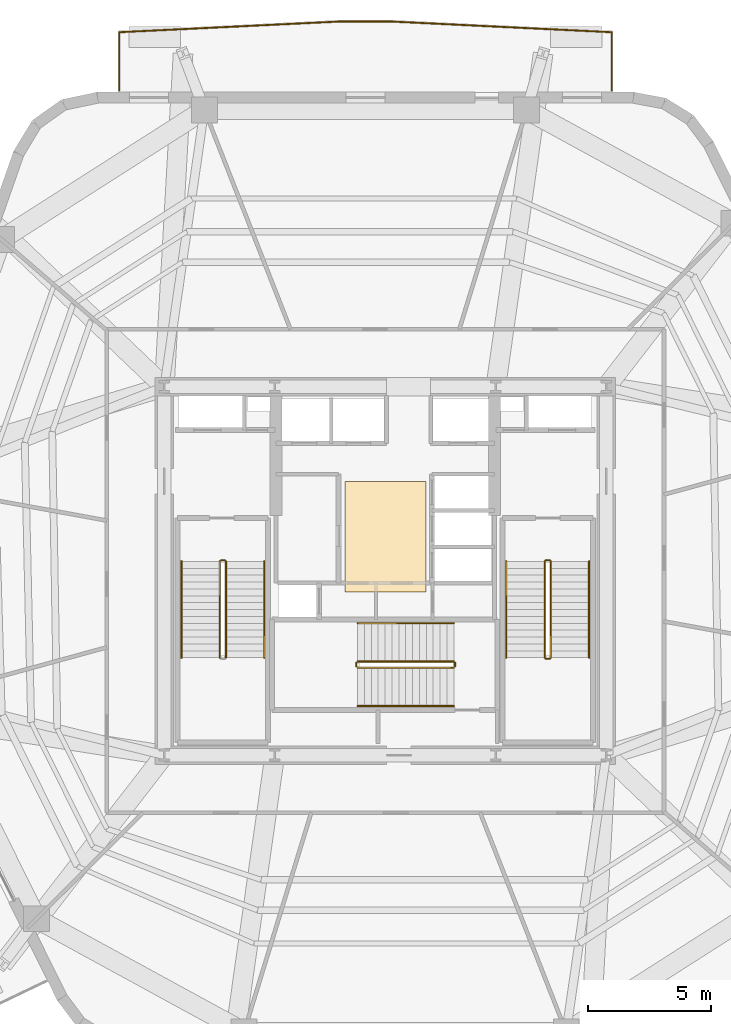
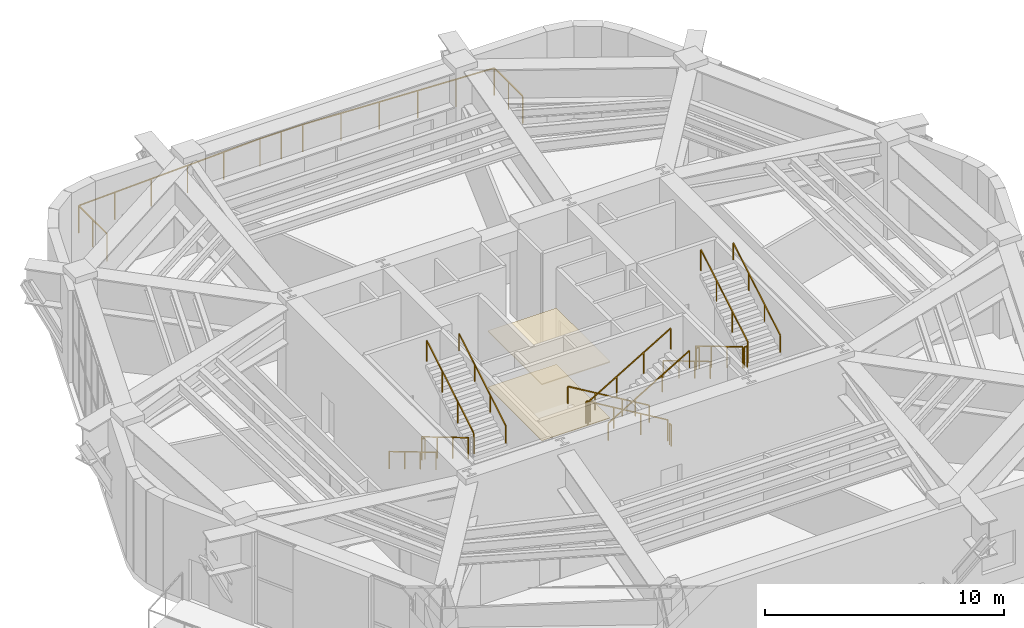
# One storey, part 18 of 18: 18 railings, 2 coverings.
"""IFC4 building model written with IfcOpenShell, lengths in metres."""

import ifcopenshell
import ifcopenshell.guid

model = None  # the IFC model being written
_history = None  # IfcOwnerHistory: only IFC2X3 demands one
_inside = {}  # id of a spatial element -> (the spatial element, [elements in it])
_under = {}  # id of a project, library or spatial element -> (it, [spatial elements below it])
_declared = {}  # id of a project -> (the project, [libraries it declares])
_typed = {}  # id of a type object -> (the type object, [elements of that type])
_made_of = {}  # id of a material, layer set ... -> (it, [elements and type objects made of it])


def new_model(schema):
    """Start an empty IFC model of exactly this schema.

    Asked for "IFC4X3", IfcOpenShell would pick the latest addendum, in which some entities
    have other attributes; the version numbers below select the first issue.
    IFC2X3 requires an IfcOwnerHistory on every rooted entity: one is made here for all.
    """
    global model, _history
    if schema == "IFC4X3":
        model = ifcopenshell.file(schema_version=(4, 3, 0, 0))
    else:
        model = ifcopenshell.file(schema=schema)
    _inside.clear()
    _under.clear()
    _declared.clear()
    _typed.clear()
    _made_of.clear()
    _history = None
    if model.schema == "IFC2X3":
        org = make("IfcOrganization", Name="unknown")
        user = make(
            "IfcPersonAndOrganization",
            ThePerson=make("IfcPerson", FamilyName="unknown"),
            TheOrganization=org,
        )
        app = make(
            "IfcApplication",
            ApplicationDeveloper=org,
            Version="unknown",
            ApplicationFullName="unknown",
            ApplicationIdentifier="unknown",
        )
        _history = make(
            "IfcOwnerHistory",
            OwningUser=user,
            OwningApplication=app,
            ChangeAction="ADDED",
            CreationDate=0,
        )
    return model


def make(cls, **values):
    """One entity of the class cls with the attributes given. An attribute that is None is left unset."""
    return model.create_entity(
        cls, **{name: value for name, value in values.items() if value is not None}
    )


def rooted(cls, **values):
    """An entity with a GlobalId (a new one), such as an element, a storey or a relation."""
    return make(cls, GlobalId=ifcopenshell.guid.new(), OwnerHistory=_history, **values)


def si_unit(unit_type, name, prefix=None):
    """IfcSIUnit, for example si_unit("LENGTHUNIT", "METRE", prefix="MILLI")."""
    return make("IfcSIUnit", UnitType=unit_type, Prefix=prefix, Name=name)


def assignment(units):
    """IfcUnitAssignment: the units of a project."""
    return None if units is None else make("IfcUnitAssignment", Units=units)


def point(xyz):
    """IfcCartesianPoint."""
    return None if xyz is None else make("IfcCartesianPoint", Coordinates=xyz)


def direction(xyz):
    """IfcDirection."""
    return None if xyz is None else make("IfcDirection", DirectionRatios=xyz)


def frame(location, z_axis=None, x_axis=None):
    """IfcAxis2Placement3D, a coordinate frame: its origin and axes. An axis left out is left unset."""
    return make(
        "IfcAxis2Placement3D",
        Location=point(location),
        Axis=direction(z_axis),
        RefDirection=direction(x_axis),
    )


def frame_2d(location, x_axis=None):
    """IfcAxis2Placement2D, a coordinate frame in the plane: its origin and x axis."""
    return make(
        "IfcAxis2Placement2D", Location=point(location), RefDirection=direction(x_axis)
    )


def origin():
    """The frame at (0, 0, 0) with its axes left unset."""
    return frame((0.0, 0.0, 0.0))


def origin_2d():
    """The frame at (0, 0) in the plane with its x axis left unset."""
    return frame_2d((0.0, 0.0))


def place(relative_to, where):
    """IfcLocalPlacement: puts the frame where relative to a parent placement (None: the world)."""
    return make(
        "IfcLocalPlacement", PlacementRelTo=relative_to, RelativePlacement=where
    )


def context(
    kind, dimensions, precision=None, world=None, true_north=None, identifier=None
):
    """IfcGeometricRepresentationContext, for example the 3D "Model" context."""
    return make(
        "IfcGeometricRepresentationContext",
        ContextIdentifier=identifier,
        ContextType=kind,
        CoordinateSpaceDimension=dimensions,
        Precision=precision,
        WorldCoordinateSystem=world,
        TrueNorth=true_north,
    )


def subcontext(parent, identifier, kind, view, scale=None):
    """IfcGeometricRepresentationSubContext, for example "Body" below "Model"."""
    return make(
        "IfcGeometricRepresentationSubContext",
        ContextIdentifier=identifier,
        ContextType=kind,
        ParentContext=parent,
        TargetScale=scale,
        TargetView=view,
    )


def project(units=None, contexts=None):
    """IfcProject with its units and contexts."""
    return rooted(
        "IfcProject",
        Name="project",
        RepresentationContexts=contexts,
        UnitsInContext=assignment(units),
    )


def spatial(cls, under=None, at=None, **own):
    """A site, building, storey or space (cls), placed at a placement, below another one or the project."""
    s = rooted(cls, ObjectPlacement=at, **own)
    if under is not None:
        _under.setdefault(under.id(), (under, []))[1].append(s)
    return s


def polyline(points):
    """IfcPolyline through the points."""
    return make("IfcPolyline", Points=[point(p) for p in points])


def profile(cls, at=None, kind="AREA", **sizes):
    """A parametric profile (cls). Its sizes go by their IFC names, for example OverallWidth=200.0."""
    return make(cls, ProfileType=kind, Position=at, **sizes)


def rectangle(**sizes):
    """IfcRectangleProfileDef."""
    return profile("IfcRectangleProfileDef", **sizes)


def outline(outer, holes=None, kind="AREA"):
    """IfcArbitraryClosedProfileDef: a profile drawn as a closed curve; with holes, ...WithVoids."""
    if holes is None:
        return make("IfcArbitraryClosedProfileDef", ProfileType=kind, OuterCurve=outer)
    return make(
        "IfcArbitraryProfileDefWithVoids",
        ProfileType=kind,
        OuterCurve=outer,
        InnerCurves=holes,
    )


def extrude(swept, where, along, depth):
    """IfcExtrudedAreaSolid: the profile swept, set in the frame where, extruded along a direction by depth."""
    return make(
        "IfcExtrudedAreaSolid",
        SweptArea=swept,
        Position=where,
        ExtrudedDirection=direction(along),
        Depth=depth,
    )


def shape(context_of_items, identifier, shape_type, items):
    """IfcShapeRepresentation: the items that make up one representation, for example the "Body"."""
    return make(
        "IfcShapeRepresentation",
        ContextOfItems=context_of_items,
        RepresentationIdentifier=identifier,
        RepresentationType=shape_type,
        Items=items,
    )


def material(Name=None, Category=None):
    """IfcMaterial."""
    return make("IfcMaterial", Name=Name, Category=Category)


def layer(
    of_material, thickness, ventilated=None, Name=None, Category=None, Priority=None
):
    """IfcMaterialLayer: one layer of a wall or slab, of a material (None: an air gap)."""
    return make(
        "IfcMaterialLayer",
        Material=of_material,
        LayerThickness=thickness,
        IsVentilated=ventilated,
        Name=Name,
        Category=Category,
        Priority=Priority,
    )


def layer_set(layers, Name=None):
    """IfcMaterialLayerSet."""
    return make("IfcMaterialLayerSet", MaterialLayers=layers, LayerSetName=Name)


def made_of(thing, what):
    """Note that an element or type object is made of a material, layer set ...; save() writes the relation."""
    if what is not None:
        _made_of.setdefault(what.id(), (what, []))[1].append(thing)
    return thing


def type_object(cls, material=None, **own):
    """A type object (cls), such as IfcWallType, which elements share."""
    return made_of(rooted(cls, **own), material)


def element(
    cls,
    number,
    at=None,
    inside=None,
    cuts=None,
    type_object=None,
    material=None,
    context=None,
    identifier="Body",
    shape_type=None,
    held_by="IfcProductDefinitionShape",
    body=None,
    shapes=None,
    **own,
):
    """One element of the class cls, such as IfcWall. Its Tag is "e" and its number.

    at: its placement. inside: the storey or other place that contains it. cuts: it is an
    opening in that element (IfcRelVoidsElement). A single representation is given by context,
    identifier, shape_type and body (its items); several are given by shapes. held_by: the class
    of the entity that holds the representations. save() writes the other relations.
    """
    e = rooted(cls, Tag="e%d" % number, ObjectPlacement=at, **own)
    if body is not None:
        shapes = [shape(context, identifier, shape_type, body)]
    if shapes is not None:
        e.Representation = make(held_by, Representations=shapes)
    if inside is not None:
        _inside.setdefault(inside.id(), (inside, []))[1].append(e)
    if cuts is not None:
        rooted(
            "IfcRelVoidsElement", RelatingBuildingElement=cuts, RelatedOpeningElement=e
        )
    if type_object is not None:
        _typed.setdefault(type_object.id(), (type_object, []))[1].append(e)
    return made_of(e, material)


def aggregate(whole, parts):
    """IfcRelAggregates: a whole, such as a stair, and the parts it consists of."""
    return rooted("IfcRelAggregates", RelatingObject=whole, RelatedObjects=parts)


def save(model, path):
    """Write the relations noted so far, then the file.

    IfcRelAggregates (storeys below a building ...), IfcRelContainedInSpatialStructure (elements
    in a storey), IfcRelDefinesByType, IfcRelAssociatesMaterial and IfcRelDeclares: one each for
    every whole, place, type object, material and project.
    """
    for whole, parts in _under.values():
        aggregate(whole, parts)
    for where, things in _inside.values():
        rooted(
            "IfcRelContainedInSpatialStructure",
            RelatedElements=things,
            RelatingStructure=where,
        )
    for kind, things in _typed.values():
        rooted("IfcRelDefinesByType", RelatedObjects=things, RelatingType=kind)
    for what, things in _made_of.values():
        rooted("IfcRelAssociatesMaterial", RelatedObjects=things, RelatingMaterial=what)
    for by, libraries in _declared.values():
        rooted("IfcRelDeclares", RelatingContext=by, RelatedDefinitions=libraries)
    model.write(path)


model = new_model("IFC4")

# Units and contexts
model_context = context("Model", 3, precision=1e-05, world=origin(), true_north=direction((0.0, 1.0)))
body_context = subcontext(model_context, "Body", "Model", "MODEL_VIEW")
ifc_project = project(units=[si_unit("LENGTHUNIT", "METRE"), si_unit("AREAUNIT", "SQUARE_METRE"), si_unit("VOLUMEUNIT", "CUBIC_METRE"), si_unit("PLANEANGLEUNIT", "RADIAN"), si_unit("MASSUNIT", "GRAM", prefix="KILO")], contexts=[model_context])

# Site, building, storey
site_placement = place(None, origin())
site = spatial("IfcSite", under=ifc_project, at=site_placement, CompositionType="ELEMENT")
building_placement = place(site_placement, origin())
building = spatial("IfcBuilding", under=site, at=building_placement, Name="Kilnhurst Terrace Hotel", CompositionType="ELEMENT")
storey_placement = place(building_placement, frame((0.0, 0.0, 201.5)))
storey = spatial("IfcBuildingStorey", under=building, at=storey_placement, Name="L50", CompositionType="ELEMENT", Elevation=201.5)

# Coverings
ifc_material_1 = material(Name="Perforated Micro-Acoustic Gypsum and Mineral Wool Ceiling")
ifc_layer_1 = layer(ifc_material_1, 0.050048828125, Name="Perforated Micro-Acoustic Gypsum and Mineral Wool Ceiling")
ifc_layer_set_1 = layer_set([ifc_layer_1], Name="Perforated Micro-Acoustic Gypsum and Mineral Wool Ceiling")
covering_type_1 = type_object("IfcCoveringType", Name="COV-CLG-AC60", PredefinedType="CEILING", material=ifc_layer_set_1)
covering_1_placement = place(storey_placement, frame((0.0, 0.0, 2.85009765625)))
element("IfcCovering", 1, at=covering_1_placement, inside=storey, type_object=covering_type_1, Name="L50 Lift Lobby Suspended Acoustic Ceiling", PredefinedType="CEILING", context=body_context, shape_type="SweptSolid", body=[
    extrude(outline(polyline([(-1.64990234375, -0.85009765625), (1.64990234375, -0.85009765625), (1.64990234375, 3.64990234375), (-1.64990234375, 3.64990234375), (-1.64990234375, -0.85009765625)])), origin(), (0.0, 0.0, 1.0), 0.0498046875),
])
ifc_material_2 = material(Name="Honed Texas Cream Limestone Tile Flooring", Category="masonry")
ifc_layer_2 = layer(ifc_material_2, 0.030029296875, Name="Honed Texas Cream Limestone Tile Flooring")
ifc_layer_set_2 = layer_set([ifc_layer_2], Name="Honed Texas Cream Limestone Tile Flooring")
covering_type_2 = type_object("IfcCoveringType", Name="COV-FLR-STN30", PredefinedType="FLOORING", material=ifc_layer_set_2)
covering_2_placement = place(storey_placement, origin())
element("IfcCovering", 2, at=covering_2_placement, inside=storey, type_object=covering_type_2, Name="L50 Lift Lobby Honed Limestone Flooring", PredefinedType="FLOORING", context=body_context, shape_type="SweptSolid", body=[
    extrude(outline(polyline([(-1.64990234375, -0.85009765625), (1.64990234375, -0.85009765625), (1.64990234375, 3.64990234375), (-1.64990234375, 3.64990234375), (-1.64990234375, -0.85009765625)])), origin(), (0.0, 0.0, 1.0), 0.030029296875),
])

# Railings
ifc_material_3 = material(Name="Laminated SentryGlas and Stainless Steel AISI 316L Balustrade", Category="steel")
ifc_layer_3 = layer(ifc_material_3, 0.070068359375, Name="Laminated SentryGlas and Stainless Steel AISI 316L Balustrade")
ifc_layer_set_3 = layer_set([ifc_layer_3], Name="Laminated SentryGlas and Stainless Steel AISI 316L Balustrade")
railing_type_1 = type_object("IfcRailingType", Name="RLG-BAL-1420", PredefinedType="BALUSTRADE", material=ifc_layer_set_3)
railing_1_placement = place(storey_placement, frame((-10.83349609375, 19.580078125, 0.0)))
element("IfcRailing", 3, at=railing_1_placement, inside=storey, type_object=railing_type_1, Name="L50 Exterior Terrace Guardrail BAL-L1A.1", PredefinedType="BALUSTRADE", context=body_context, shape_type="SweptSolid", body=[
    extrude(rectangle(XDim=0.048095703125, YDim=0.048095703125, at=origin_2d()), frame((0.0, 0.0, 1.39599609375), z_axis=(0.0, 1.0, 0.0), x_axis=(-1.0, 0.0, 0.0)), (0.0, 0.0, 1.0), 2.36279296875),
    extrude(rectangle(XDim=0.048095703125, YDim=0.048095703125, at=origin_2d()), frame((0.0, 2.36279296875, 1.39599609375), z_axis=(0.998822813861, 0.048507592295, 0.0), x_axis=(-0.048507592295, 0.998822813861, 0.0)), (0.0, 0.0, 1.0), 9.009033203125),
    extrude(rectangle(XDim=0.048095703125, YDim=0.048095703125, at=origin_2d()), frame((8.99853515625, 2.7998046875, 1.39599609375), z_axis=(1.0, 0.0, 0.0), x_axis=(0.0, 1.0, 0.0)), (0.0, 0.0, 1.0), 2.0556640625),
    extrude(rectangle(XDim=0.048095703125, YDim=0.048095703125, at=origin_2d()), frame((11.05419921875, 2.7998046875, 1.39599609375), z_axis=(0.998822813861, -0.048507592295, 0.0), x_axis=(0.048507592295, 0.998822813861, 0.0)), (0.0, 0.0, 1.0), 9.009033203125),
    extrude(rectangle(XDim=0.048095703125, YDim=0.048095703125, at=origin_2d()), frame((20.052734375, 2.36279296875, 1.39599609375), z_axis=(0.0, -1.0, 0.0), x_axis=(1.0, 0.0, 0.0)), (0.0, 0.0, 1.0), 2.36279296875),
    extrude(rectangle(XDim=0.0419921875, YDim=0.0419921875, at=origin_2d()), origin(), (0.0, 0.0, 1.0), 1.371826171875),
    extrude(rectangle(XDim=0.0419921875, YDim=0.0419921875, at=origin_2d()), frame((0.0, 1.181396484375, 0.0)), (0.0, 0.0, 1.0), 1.371826171875),
    extrude(rectangle(XDim=0.0419921875, YDim=0.0419921875, at=origin_2d()), frame((0.0, 2.36279296875, 0.0)), (0.0, 0.0, 1.0), 1.371826171875),
    extrude(rectangle(XDim=0.0419921875, YDim=0.0419921875, at=origin_2d()), frame((1.7998046875, 2.4501953125, 0.0)), (0.0, 0.0, 1.0), 1.371826171875),
    extrude(rectangle(XDim=0.0419921875, YDim=0.0419921875, at=origin_2d()), frame((3.599365234375, 2.53759765625, 0.0)), (0.0, 0.0, 1.0), 1.371826171875),
    extrude(rectangle(XDim=0.0419921875, YDim=0.0419921875, at=origin_2d()), frame((5.399169921875, 2.625, 0.0)), (0.0, 0.0, 1.0), 1.371826171875),
    extrude(rectangle(XDim=0.0419921875, YDim=0.0419921875, at=origin_2d()), frame((7.19873046875, 2.71240234375, 0.0)), (0.0, 0.0, 1.0), 1.371826171875),
    extrude(rectangle(XDim=0.0419921875, YDim=0.0419921875, at=origin_2d()), frame((8.99853515625, 2.7998046875, 0.0)), (0.0, 0.0, 1.0), 1.371826171875),
    extrude(rectangle(XDim=0.0419921875, YDim=0.0419921875, at=origin_2d()), frame((10.0263671875, 2.7998046875, 0.0)), (0.0, 0.0, 1.0), 1.371826171875),
    extrude(rectangle(XDim=0.0419921875, YDim=0.0419921875, at=origin_2d()), frame((11.05419921875, 2.7998046875, 0.0)), (0.0, 0.0, 1.0), 1.371826171875),
    extrude(rectangle(XDim=0.0419921875, YDim=0.0419921875, at=origin_2d()), frame((12.85400390625, 2.71240234375, 0.0)), (0.0, 0.0, 1.0), 1.371826171875),
    extrude(rectangle(XDim=0.0419921875, YDim=0.0419921875, at=origin_2d()), frame((14.653564453125, 2.625, 0.0)), (0.0, 0.0, 1.0), 1.371826171875),
    extrude(rectangle(XDim=0.0419921875, YDim=0.0419921875, at=origin_2d()), frame((16.453369140625, 2.53759765625, 0.0)), (0.0, 0.0, 1.0), 1.371826171875),
    extrude(rectangle(XDim=0.0419921875, YDim=0.0419921875, at=origin_2d()), frame((18.2529296875, 2.4501953125, 0.0)), (0.0, 0.0, 1.0), 1.371826171875),
    extrude(rectangle(XDim=0.0419921875, YDim=0.0419921875, at=origin_2d()), frame((20.052734375, 2.36279296875, 0.0)), (0.0, 0.0, 1.0), 1.371826171875),
    extrude(rectangle(XDim=0.0419921875, YDim=0.0419921875, at=origin_2d()), frame((20.052734375, 1.181396484375, 0.0)), (0.0, 0.0, 1.0), 1.371826171875),
    extrude(rectangle(XDim=0.0419921875, YDim=0.0419921875, at=origin_2d()), frame((20.052734375, 0.0, 0.0)), (0.0, 0.0, 1.0), 1.371826171875),
])
ifc_material_4 = material(Name="Powder-Coated Steel ASTM A500 Grade B", Category="steel")
ifc_layer_4 = layer(ifc_material_4, 0.050048828125, Name="Powder-Coated Steel ASTM A500 Grade B")
ifc_layer_set_4 = layer_set([ifc_layer_4], Name="Powder-Coated Steel ASTM A500 Grade B")
railing_type_2 = type_object("IfcRailingType", Name="RLG-ST-GRD-1100", PredefinedType="GUARDRAIL", material=ifc_layer_set_4)
railing_2_placement = place(storey_placement, frame((-6.739990234375, 0.389892578125, 0.166748046875)))
element("IfcRailing", 4, at=railing_2_placement, inside=storey, type_object=railing_type_2, Name="L50 ST-1 stair guard 1", PredefinedType="GUARDRAIL", context=body_context, shape_type="SweptSolid", body=[
    extrude(rectangle(XDim=0.048095703125, YDim=0.048095703125, at=origin_2d()), frame((0.0, 0.0, 1.076171875), z_axis=(0.0, -0.859296244711, 0.511478214419), x_axis=(1.0, 0.0, 0.0)), (0.0, 0.0, 1.0), 4.561767578125),
    extrude(rectangle(XDim=0.0419921875, YDim=0.0419921875, at=origin_2d()), origin(), (0.0, 0.0, 1.0), 1.052001953125),
    extrude(rectangle(XDim=0.0419921875, YDim=0.0419921875, at=origin_2d()), frame((0.0, -1.306640625, 0.77783203125)), (0.0, 0.0, 1.0), 1.052001953125),
    extrude(rectangle(XDim=0.0419921875, YDim=0.0419921875, at=origin_2d()), frame((0.0, -2.61328125, 1.555419921875)), (0.0, 0.0, 1.0), 1.052001953125),
    extrude(rectangle(XDim=0.0419921875, YDim=0.0419921875, at=origin_2d()), frame((0.0, -3.919921875, 2.333251953125)), (0.0, 0.0, 1.0), 1.052001953125),
])
railing_3_placement = place(storey_placement, frame((-6.489990234375, -3.530029296875, 2.666748046875)))
element("IfcRailing", 5, at=railing_3_placement, inside=storey, type_object=railing_type_2, Name="L50 ST-1 stair guard 3", PredefinedType="GUARDRAIL", context=body_context, shape_type="SweptSolid", body=[
    extrude(rectangle(XDim=0.048095703125, YDim=0.048095703125, at=origin_2d()), frame((0.0, 0.0, 1.076171875), z_axis=(0.0, 0.859296244711, 0.511478214419), x_axis=(-1.0, 0.0, 0.0)), (0.0, 0.0, 1.0), 4.561767578125),
    extrude(rectangle(XDim=0.0419921875, YDim=0.0419921875, at=origin_2d()), origin(), (0.0, 0.0, 1.0), 1.052001953125),
    extrude(rectangle(XDim=0.0419921875, YDim=0.0419921875, at=origin_2d()), frame((0.0, 1.306640625, 0.77783203125)), (0.0, 0.0, 1.0), 1.052001953125),
    extrude(rectangle(XDim=0.0419921875, YDim=0.0419921875, at=origin_2d()), frame((0.0, 2.61328125, 1.555419921875)), (0.0, 0.0, 1.0), 1.052001953125),
    extrude(rectangle(XDim=0.0419921875, YDim=0.0419921875, at=origin_2d()), frame((0.0, 3.919921875, 2.333251953125)), (0.0, 0.0, 1.0), 1.052001953125),
])
railing_4_placement = place(storey_placement, frame((-6.68994140625, 0.43994140625, 0.0)))
element("IfcRailing", 6, at=railing_4_placement, inside=storey, type_object=railing_type_2, Name="L50 ST-1 stair guard 4", PredefinedType="GUARDRAIL", context=body_context, shape_type="SweptSolid", body=[
    extrude(rectangle(XDim=0.048095703125, YDim=0.048095703125, at=origin_2d()), frame((0.0, 0.0, 1.076171875), z_axis=(1.0, 0.0, 0.0), x_axis=(0.0, 1.0, 0.0)), (0.0, 0.0, 1.0), 0.14990234375),
    extrude(rectangle(XDim=0.0419921875, YDim=0.0419921875, at=origin_2d()), origin(), (0.0, 0.0, 1.0), 1.052001953125),
    extrude(rectangle(XDim=0.0419921875, YDim=0.0419921875, at=origin_2d()), frame((0.14990234375, 0.0, 0.0)), (0.0, 0.0, 1.0), 1.052001953125),
])
railing_5_placement = place(storey_placement, frame((6.489990234375, 0.389892578125, 0.166748046875)))
element("IfcRailing", 7, at=railing_5_placement, inside=storey, type_object=railing_type_2, Name="L50 ST-2 stair guard 1", PredefinedType="GUARDRAIL", context=body_context, shape_type="SweptSolid", body=[
    extrude(rectangle(XDim=0.048095703125, YDim=0.048095703125, at=origin_2d()), frame((0.0, 0.0, 1.076171875), z_axis=(0.0, -0.859296244711, 0.511478214419), x_axis=(1.0, 0.0, 0.0)), (0.0, 0.0, 1.0), 4.561767578125),
    extrude(rectangle(XDim=0.0419921875, YDim=0.0419921875, at=origin_2d()), origin(), (0.0, 0.0, 1.0), 1.052001953125),
    extrude(rectangle(XDim=0.0419921875, YDim=0.0419921875, at=origin_2d()), frame((0.0, -1.306640625, 0.77783203125)), (0.0, 0.0, 1.0), 1.052001953125),
    extrude(rectangle(XDim=0.0419921875, YDim=0.0419921875, at=origin_2d()), frame((0.0, -2.61328125, 1.555419921875)), (0.0, 0.0, 1.0), 1.052001953125),
    extrude(rectangle(XDim=0.0419921875, YDim=0.0419921875, at=origin_2d()), frame((0.0, -3.919921875, 2.333251953125)), (0.0, 0.0, 1.0), 1.052001953125),
])
railing_6_placement = place(storey_placement, frame((6.5400390625, -3.580078125, 2.5)))
element("IfcRailing", 8, at=railing_6_placement, inside=storey, type_object=railing_type_2, Name="L50 ST-2 stair guard 2", PredefinedType="GUARDRAIL", context=body_context, shape_type="SweptSolid", body=[
    extrude(rectangle(XDim=0.048095703125, YDim=0.048095703125, at=origin_2d()), frame((0.0, 0.0, 1.076171875), z_axis=(1.0, 0.0, 0.0), x_axis=(0.0, 1.0, 0.0)), (0.0, 0.0, 1.0), 0.14990234375),
    extrude(rectangle(XDim=0.0419921875, YDim=0.0419921875, at=origin_2d()), origin(), (0.0, 0.0, 1.0), 1.052001953125),
    extrude(rectangle(XDim=0.0419921875, YDim=0.0419921875, at=origin_2d()), frame((0.14990234375, 0.0, 0.0)), (0.0, 0.0, 1.0), 1.052001953125),
])
railing_7_placement = place(storey_placement, frame((6.739990234375, -3.530029296875, 2.666748046875)))
element("IfcRailing", 9, at=railing_7_placement, inside=storey, type_object=railing_type_2, Name="L50 ST-2 stair guard 3", PredefinedType="GUARDRAIL", context=body_context, shape_type="SweptSolid", body=[
    extrude(rectangle(XDim=0.048095703125, YDim=0.048095703125, at=origin_2d()), frame((0.0, 0.0, 1.076171875), z_axis=(0.0, 0.859296244711, 0.511478214419), x_axis=(-1.0, 0.0, 0.0)), (0.0, 0.0, 1.0), 4.561767578125),
    extrude(rectangle(XDim=0.0419921875, YDim=0.0419921875, at=origin_2d()), origin(), (0.0, 0.0, 1.0), 1.052001953125),
    extrude(rectangle(XDim=0.0419921875, YDim=0.0419921875, at=origin_2d()), frame((0.0, 1.306640625, 0.77783203125)), (0.0, 0.0, 1.0), 1.052001953125),
    extrude(rectangle(XDim=0.0419921875, YDim=0.0419921875, at=origin_2d()), frame((0.0, 2.61328125, 1.555419921875)), (0.0, 0.0, 1.0), 1.052001953125),
    extrude(rectangle(XDim=0.0419921875, YDim=0.0419921875, at=origin_2d()), frame((0.0, 3.919921875, 2.333251953125)), (0.0, 0.0, 1.0), 1.052001953125),
])
railing_8_placement = place(storey_placement, frame((6.5400390625, 0.43994140625, 0.0)))
element("IfcRailing", 10, at=railing_8_placement, inside=storey, type_object=railing_type_2, Name="L50 ST-2 stair guard 4", PredefinedType="GUARDRAIL", context=body_context, shape_type="SweptSolid", body=[
    extrude(rectangle(XDim=0.048095703125, YDim=0.048095703125, at=origin_2d()), frame((0.0, 0.0, 1.076171875), z_axis=(1.0, 0.0, 0.0), x_axis=(0.0, 1.0, 0.0)), (0.0, 0.0, 1.0), 0.14990234375),
    extrude(rectangle(XDim=0.0419921875, YDim=0.0419921875, at=origin_2d()), origin(), (0.0, 0.0, 1.0), 1.052001953125),
    extrude(rectangle(XDim=0.0419921875, YDim=0.0419921875, at=origin_2d()), frame((0.14990234375, 0.0, 0.0)), (0.0, 0.0, 1.0), 1.052001953125),
])
railing_9_placement = place(storey_placement, frame((2.7900390625, -3.68994140625, 0.166748046875)))
element("IfcRailing", 11, at=railing_9_placement, inside=storey, type_object=railing_type_2, Name="L50 ST-3 stair guard 1", PredefinedType="GUARDRAIL", context=body_context, shape_type="SweptSolid", body=[
    extrude(rectangle(XDim=0.048095703125, YDim=0.048095703125, at=origin_2d()), frame((0.0, 0.0, 1.076171875), z_axis=(-0.859296244711, 0.0, 0.511478214419), x_axis=(0.0, -1.0, 0.0)), (0.0, 0.0, 1.0), 4.561767578125),
    extrude(rectangle(XDim=0.0419921875, YDim=0.0419921875, at=origin_2d()), origin(), (0.0, 0.0, 1.0), 1.052001953125),
    extrude(rectangle(XDim=0.0419921875, YDim=0.0419921875, at=origin_2d()), frame((-1.306640625, 0.0, 0.77783203125)), (0.0, 0.0, 1.0), 1.052001953125),
    extrude(rectangle(XDim=0.0419921875, YDim=0.0419921875, at=origin_2d()), frame((-2.61328125, 0.0, 1.555419921875)), (0.0, 0.0, 1.0), 1.052001953125),
    extrude(rectangle(XDim=0.0419921875, YDim=0.0419921875, at=origin_2d()), frame((-3.919921875, 0.0, 2.333251953125)), (0.0, 0.0, 1.0), 1.052001953125),
])
railing_10_placement = place(storey_placement, frame((-1.179931640625, -3.739990234375, 2.5)))
element("IfcRailing", 12, at=railing_10_placement, inside=storey, type_object=railing_type_2, Name="L50 ST-3 stair guard 2", PredefinedType="GUARDRAIL", context=body_context, shape_type="SweptSolid", body=[
    extrude(rectangle(XDim=0.048095703125, YDim=0.048095703125, at=origin_2d()), frame((0.0, 0.0, 1.076171875), z_axis=(0.0, -1.0, 0.0), x_axis=(1.0, 0.0, 0.0)), (0.0, 0.0, 1.0), 0.14990234375),
    extrude(rectangle(XDim=0.0419921875, YDim=0.0419921875, at=origin_2d()), origin(), (0.0, 0.0, 1.0), 1.052001953125),
    extrude(rectangle(XDim=0.0419921875, YDim=0.0419921875, at=origin_2d()), frame((0.0, -0.14990234375, 0.0)), (0.0, 0.0, 1.0), 1.052001953125),
])
railing_11_placement = place(storey_placement, frame((-1.1298828125, -3.93994140625, 2.666748046875)))
element("IfcRailing", 13, at=railing_11_placement, inside=storey, type_object=railing_type_2, Name="L50 ST-3 stair guard 3", PredefinedType="GUARDRAIL", context=body_context, shape_type="SweptSolid", body=[
    extrude(rectangle(XDim=0.048095703125, YDim=0.048095703125, at=origin_2d()), frame((0.0, 0.0, 1.076171875), z_axis=(0.859296244711, 0.0, 0.511478214419), x_axis=(0.0, 1.0, 0.0)), (0.0, 0.0, 1.0), 4.561767578125),
    extrude(rectangle(XDim=0.0419921875, YDim=0.0419921875, at=origin_2d()), origin(), (0.0, 0.0, 1.0), 1.052001953125),
    extrude(rectangle(XDim=0.0419921875, YDim=0.0419921875, at=origin_2d()), frame((1.306640625, 0.0, 0.77783203125)), (0.0, 0.0, 1.0), 1.052001953125),
    extrude(rectangle(XDim=0.0419921875, YDim=0.0419921875, at=origin_2d()), frame((2.61328125, 0.0, 1.555419921875)), (0.0, 0.0, 1.0), 1.052001953125),
    extrude(rectangle(XDim=0.0419921875, YDim=0.0419921875, at=origin_2d()), frame((3.919921875, 0.0, 2.333251953125)), (0.0, 0.0, 1.0), 1.052001953125),
])
railing_12_placement = place(storey_placement, frame((2.840087890625, -3.739990234375, 0.0)))
element("IfcRailing", 14, at=railing_12_placement, inside=storey, type_object=railing_type_2, Name="L50 ST-3 stair guard 4", PredefinedType="GUARDRAIL", context=body_context, shape_type="SweptSolid", body=[
    extrude(rectangle(XDim=0.048095703125, YDim=0.048095703125, at=origin_2d()), frame((0.0, 0.0, 1.076171875), z_axis=(0.0, -1.0, 0.0), x_axis=(1.0, 0.0, 0.0)), (0.0, 0.0, 1.0), 0.14990234375),
    extrude(rectangle(XDim=0.0419921875, YDim=0.0419921875, at=origin_2d()), origin(), (0.0, 0.0, 1.0), 1.052001953125),
    extrude(rectangle(XDim=0.0419921875, YDim=0.0419921875, at=origin_2d()), frame((0.0, -0.14990234375, 0.0)), (0.0, 0.0, 1.0), 1.052001953125),
])
ifc_material_5 = material(Name="Brushed Stainless Steel AISI 304", Category="steel")
ifc_layer_5 = layer(ifc_material_5, 0.048095703125, Name="Brushed Stainless Steel AISI 304")
ifc_layer_set_5 = layer_set([ifc_layer_5], Name="Brushed Stainless Steel AISI 304")
railing_type_3 = type_object("IfcRailingType", Name="RLG-ST-HRL-900", PredefinedType="HANDRAIL", material=ifc_layer_set_5)
railing_13_placement = place(storey_placement, frame((-8.300048828125, 0.389892578125, 0.166748046875)))
element("IfcRailing", 15, at=railing_13_placement, inside=storey, type_object=railing_type_3, Name="L50 ST-1 stair handrail 1", PredefinedType="HANDRAIL", context=body_context, shape_type="SweptSolid", body=[
    extrude(rectangle(XDim=0.048095703125, YDim=0.048095703125, at=origin_2d()), frame((0.0, 0.0, 0.8759765625), z_axis=(0.0, -0.859296244711, 0.511478214419), x_axis=(1.0, 0.0, 0.0)), (0.0, 0.0, 1.0), 4.561767578125),
    extrude(rectangle(XDim=0.0419921875, YDim=0.0419921875, at=origin_2d()), origin(), (0.0, 0.0, 1.0), 0.851806640625),
    extrude(rectangle(XDim=0.0419921875, YDim=0.0419921875, at=origin_2d()), frame((0.0, -1.306640625, 0.77783203125)), (0.0, 0.0, 1.0), 0.851806640625),
    extrude(rectangle(XDim=0.0419921875, YDim=0.0419921875, at=origin_2d()), frame((0.0, -2.61328125, 1.555419921875)), (0.0, 0.0, 1.0), 0.851806640625),
    extrude(rectangle(XDim=0.0419921875, YDim=0.0419921875, at=origin_2d()), frame((0.0, -3.919921875, 2.333251953125)), (0.0, 0.0, 1.0), 0.851806640625),
])
railing_14_placement = place(storey_placement, frame((-4.929931640625, -3.530029296875, 2.666748046875)))
element("IfcRailing", 16, at=railing_14_placement, inside=storey, type_object=railing_type_3, Name="L50 ST-1 stair handrail 2", PredefinedType="HANDRAIL", context=body_context, shape_type="SweptSolid", body=[
    extrude(rectangle(XDim=0.048095703125, YDim=0.048095703125, at=origin_2d()), frame((0.0, 0.0, 0.8759765625), z_axis=(0.0, 0.859296244711, 0.511478214419), x_axis=(-1.0, 0.0, 0.0)), (0.0, 0.0, 1.0), 4.561767578125),
    extrude(rectangle(XDim=0.0419921875, YDim=0.0419921875, at=origin_2d()), origin(), (0.0, 0.0, 1.0), 0.851806640625),
    extrude(rectangle(XDim=0.0419921875, YDim=0.0419921875, at=origin_2d()), frame((0.0, 1.306640625, 0.77783203125)), (0.0, 0.0, 1.0), 0.851806640625),
    extrude(rectangle(XDim=0.0419921875, YDim=0.0419921875, at=origin_2d()), frame((0.0, 2.61328125, 1.555419921875)), (0.0, 0.0, 1.0), 0.851806640625),
    extrude(rectangle(XDim=0.0419921875, YDim=0.0419921875, at=origin_2d()), frame((0.0, 3.919921875, 2.333251953125)), (0.0, 0.0, 1.0), 0.851806640625),
])
railing_15_placement = place(storey_placement, frame((4.929931640625, 0.389892578125, 0.166748046875)))
element("IfcRailing", 17, at=railing_15_placement, inside=storey, type_object=railing_type_3, Name="L50 ST-2 stair handrail 1", PredefinedType="HANDRAIL", context=body_context, shape_type="SweptSolid", body=[
    extrude(rectangle(XDim=0.048095703125, YDim=0.048095703125, at=origin_2d()), frame((0.0, 0.0, 0.8759765625), z_axis=(0.0, -0.859296244711, 0.511478214419), x_axis=(1.0, 0.0, 0.0)), (0.0, 0.0, 1.0), 4.561767578125),
    extrude(rectangle(XDim=0.0419921875, YDim=0.0419921875, at=origin_2d()), origin(), (0.0, 0.0, 1.0), 0.851806640625),
    extrude(rectangle(XDim=0.0419921875, YDim=0.0419921875, at=origin_2d()), frame((0.0, -1.306640625, 0.77783203125)), (0.0, 0.0, 1.0), 0.851806640625),
    extrude(rectangle(XDim=0.0419921875, YDim=0.0419921875, at=origin_2d()), frame((0.0, -2.61328125, 1.555419921875)), (0.0, 0.0, 1.0), 0.851806640625),
    extrude(rectangle(XDim=0.0419921875, YDim=0.0419921875, at=origin_2d()), frame((0.0, -3.919921875, 2.333251953125)), (0.0, 0.0, 1.0), 0.851806640625),
])
railing_16_placement = place(storey_placement, frame((8.300048828125, -3.530029296875, 2.666748046875)))
element("IfcRailing", 18, at=railing_16_placement, inside=storey, type_object=railing_type_3, Name="L50 ST-2 stair handrail 2", PredefinedType="HANDRAIL", context=body_context, shape_type="SweptSolid", body=[
    extrude(rectangle(XDim=0.048095703125, YDim=0.048095703125, at=origin_2d()), frame((0.0, 0.0, 0.8759765625), z_axis=(0.0, 0.859296244711, 0.511478214419), x_axis=(-1.0, 0.0, 0.0)), (0.0, 0.0, 1.0), 4.561767578125),
    extrude(rectangle(XDim=0.0419921875, YDim=0.0419921875, at=origin_2d()), origin(), (0.0, 0.0, 1.0), 0.851806640625),
    extrude(rectangle(XDim=0.0419921875, YDim=0.0419921875, at=origin_2d()), frame((0.0, 1.306640625, 0.77783203125)), (0.0, 0.0, 1.0), 0.851806640625),
    extrude(rectangle(XDim=0.0419921875, YDim=0.0419921875, at=origin_2d()), frame((0.0, 2.61328125, 1.555419921875)), (0.0, 0.0, 1.0), 0.851806640625),
    extrude(rectangle(XDim=0.0419921875, YDim=0.0419921875, at=origin_2d()), frame((0.0, 3.919921875, 2.333251953125)), (0.0, 0.0, 1.0), 0.851806640625),
])
railing_17_placement = place(storey_placement, frame((2.7900390625, -2.1298828125, 0.166748046875)))
element("IfcRailing", 19, at=railing_17_placement, inside=storey, type_object=railing_type_3, Name="L50 ST-3 stair handrail 1", PredefinedType="HANDRAIL", context=body_context, shape_type="SweptSolid", body=[
    extrude(rectangle(XDim=0.048095703125, YDim=0.048095703125, at=origin_2d()), frame((0.0, 0.0, 0.8759765625), z_axis=(-0.859296244711, 0.0, 0.511478214419), x_axis=(0.0, -1.0, 0.0)), (0.0, 0.0, 1.0), 4.561767578125),
    extrude(rectangle(XDim=0.0419921875, YDim=0.0419921875, at=origin_2d()), origin(), (0.0, 0.0, 1.0), 0.851806640625),
    extrude(rectangle(XDim=0.0419921875, YDim=0.0419921875, at=origin_2d()), frame((-1.306640625, 0.0, 0.77783203125)), (0.0, 0.0, 1.0), 0.851806640625),
    extrude(rectangle(XDim=0.0419921875, YDim=0.0419921875, at=origin_2d()), frame((-2.61328125, 0.0, 1.555419921875)), (0.0, 0.0, 1.0), 0.851806640625),
    extrude(rectangle(XDim=0.0419921875, YDim=0.0419921875, at=origin_2d()), frame((-3.919921875, 0.0, 2.333251953125)), (0.0, 0.0, 1.0), 0.851806640625),
])
railing_18_placement = place(storey_placement, frame((-1.1298828125, -5.5, 2.666748046875)))
element("IfcRailing", 20, at=railing_18_placement, inside=storey, type_object=railing_type_3, Name="L50 ST-3 stair handrail 2", PredefinedType="HANDRAIL", context=body_context, shape_type="SweptSolid", body=[
    extrude(rectangle(XDim=0.048095703125, YDim=0.048095703125, at=origin_2d()), frame((0.0, 0.0, 0.8759765625), z_axis=(0.859296244711, 0.0, 0.511478214419), x_axis=(0.0, 1.0, 0.0)), (0.0, 0.0, 1.0), 4.561767578125),
    extrude(rectangle(XDim=0.0419921875, YDim=0.0419921875, at=origin_2d()), origin(), (0.0, 0.0, 1.0), 0.851806640625),
    extrude(rectangle(XDim=0.0419921875, YDim=0.0419921875, at=origin_2d()), frame((1.306640625, 0.0, 0.77783203125)), (0.0, 0.0, 1.0), 0.851806640625),
    extrude(rectangle(XDim=0.0419921875, YDim=0.0419921875, at=origin_2d()), frame((2.61328125, 0.0, 1.555419921875)), (0.0, 0.0, 1.0), 0.851806640625),
    extrude(rectangle(XDim=0.0419921875, YDim=0.0419921875, at=origin_2d()), frame((3.919921875, 0.0, 2.333251953125)), (0.0, 0.0, 1.0), 0.851806640625),
])

save(model, "model.ifc")
